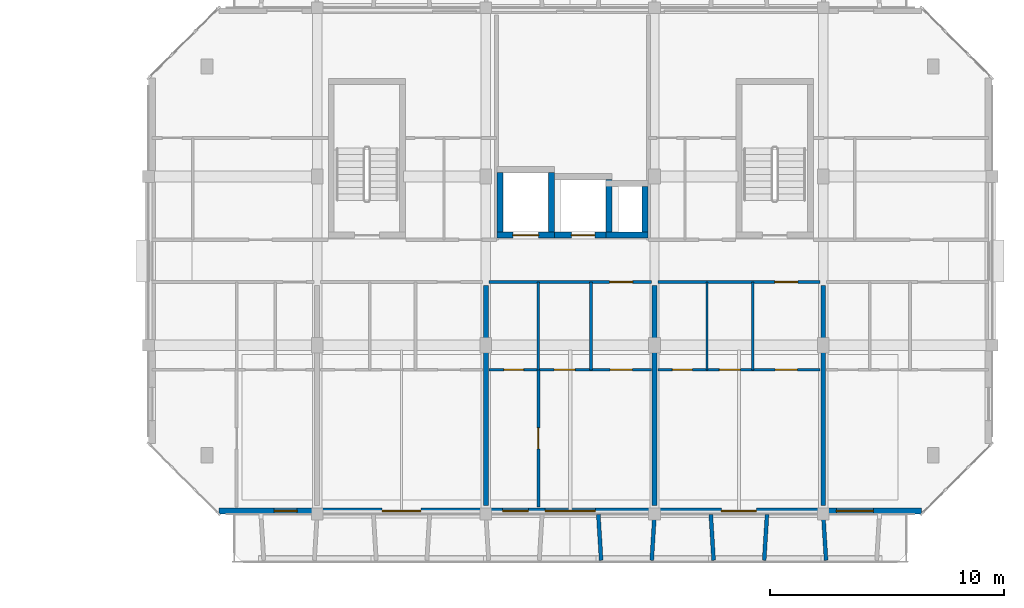
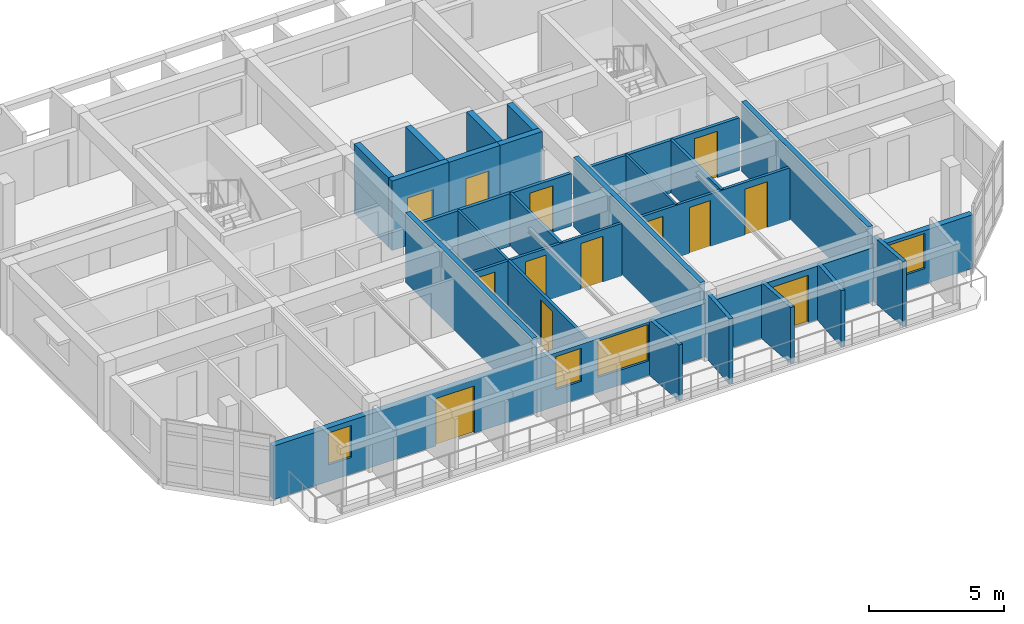
# One storey, part 23 of 40: 25 walls, 13 doors, 4 windows, 17 openings.
"""IFC4 building model written with IfcOpenShell, lengths in metres."""

from ifc_helpers import new_model, si_unit, direction, frame, frame_2d, origin, place, context, subcontext, project, spatial, rectangle, extrude, material, layer, layer_set, type_object, element, fill, save


model = new_model("IFC4")

# Units and contexts
model_context = context("Model", 3, precision=1e-05, world=origin(), true_north=direction((0.0, 1.0)))
body_context = subcontext(model_context, "Body", "Model", "MODEL_VIEW")
ifc_project = project(units=[si_unit("LENGTHUNIT", "METRE"), si_unit("AREAUNIT", "SQUARE_METRE"), si_unit("VOLUMEUNIT", "CUBIC_METRE"), si_unit("PLANEANGLEUNIT", "RADIAN"), si_unit("MASSUNIT", "GRAM", prefix="KILO")], contexts=[model_context])

# Site, building, storey
site_placement = place(None, origin())
site = spatial("IfcSite", under=ifc_project, at=site_placement, CompositionType="ELEMENT")
building_placement = place(site_placement, origin())
building = spatial("IfcBuilding", under=site, at=building_placement, Name="Ochrevale Crest", CompositionType="ELEMENT")
storey_placement = place(building_placement, frame((0.0, 0.0, 27.60009765625)))
storey = spatial("IfcBuildingStorey", under=building, at=storey_placement, Name="L08", CompositionType="ELEMENT", Elevation=27.60009765625)

# Wall, opening, door
ifc_material_1 = material(Name="Gypsum plasterboard", Category="gypsum")
ifc_layer_1 = layer(ifc_material_1, 0.139892578125)
ifc_layer_set_1 = layer_set([ifc_layer_1], Name="Gypsum plasterboard")
wall_type_1 = type_object("IfcWallType", Name="WL-COR-140", PredefinedType="PARTITIONING", material=ifc_layer_set_1)
wall_1_placement = place(storey_placement, frame((144.139892578125, 24.300048828125, 0.0), z_axis=(0.0, 0.0, 1.0), x_axis=(1.0, 0.0, 0.0)))
wall_1 = element("IfcWall", 1, at=wall_1_placement, inside=storey, type_object=wall_type_1, Name="Apartment C-L08-U3 corridor wall", PredefinedType="PARTITIONING", context=body_context, shape_type="SweptSolid", body=[
    extrude(rectangle(XDim=6.920166015625, YDim=0.139892578125, at=frame_2d((3.4599609375, 0.0))), origin(), (0.0, 0.0, 1.0), 2.3798828125),
])
opening_1_placement = place(wall_1_placement, frame((6.125, 0.0, 0.0), z_axis=(0.0, 0.0, 1.0), x_axis=(-1.0, 0.0, 0.0)))
opening_1 = element("IfcOpeningElement", 2, at=opening_1_placement, cuts=wall_1, Name="Opening FD01", PredefinedType="OPENING", context=body_context, shape_type="SweptSolid", body=[
    extrude(rectangle(XDim=0.97998046875, YDim=2.10009765625, at=frame_2d((0.489990234375, 1.050048828125))), frame((0.0, 0.080078125, 0.0), z_axis=(0.0, -1.0, 0.0), x_axis=(1.0, 0.0, 0.0)), (0.0, 0.0, 1.0), 0.159912109375),
])
ifc_material_2 = material(Name="Solid-core FSC hardwood", Category="wood")
door_type_1 = type_object("IfcDoorType", Name="DR-APT-950", OperationType="NOTDEFINED", PredefinedType="DOOR", material=ifc_material_2)
door_1_placement = place(opening_1_placement, origin())
door_1 = element("IfcDoor", 3, at=door_1_placement, inside=storey, type_object=door_type_1, Name="Apartment C-L08-U3 entrance door", OperationType="SINGLE_SWING_RIGHT", OverallHeight=2.10009765625, OverallWidth=0.97998046875, PredefinedType="DOOR", context=body_context, shape_type="SweptSolid", body=[
    extrude(rectangle(XDim=0.97998046875, YDim=2.10009765625, at=frame_2d((0.489990234375, 1.050048828125))), frame((0.0, 0.02490234375, 0.0), z_axis=(0.0, -1.0, 0.0), x_axis=(1.0, 0.0, 0.0)), (0.0, 0.0, 1.0), 0.050048828125),
])
fill(opening_1, door_1)

wall_2_placement = place(storey_placement, frame((151.340087890625, 24.300048828125, 0.0), z_axis=(0.0, 0.0, 1.0), x_axis=(1.0, 0.0, 0.0)))
wall_2 = element("IfcWall", 4, at=wall_2_placement, inside=storey, type_object=wall_type_1, Name="Apartment C-L08-U4 corridor wall", PredefinedType="PARTITIONING", context=body_context, shape_type="SweptSolid", body=[
    extrude(rectangle(XDim=6.919921875, YDim=0.139892578125, at=frame_2d((3.4599609375, 0.0))), origin(), (0.0, 0.0, 1.0), 2.3798828125),
])
opening_2_placement = place(wall_2_placement, frame((4.9951171875, 0.0, 0.0)))
opening_2 = element("IfcOpeningElement", 5, at=opening_2_placement, cuts=wall_2, Name="Opening FD01", PredefinedType="OPENING", context=body_context, shape_type="SweptSolid", body=[
    extrude(rectangle(XDim=0.97998046875, YDim=2.10009765625, at=frame_2d((0.489990234375, 1.050048828125))), frame((0.0, 0.080078125, 0.0), z_axis=(0.0, -1.0, 0.0), x_axis=(1.0, 0.0, 0.0)), (0.0, 0.0, 1.0), 0.159912109375),
])
door_2_placement = place(opening_2_placement, origin())
door_2 = element("IfcDoor", 6, at=door_2_placement, inside=storey, type_object=door_type_1, Name="Apartment C-L08-U4 entrance door", OperationType="SINGLE_SWING_LEFT", OverallHeight=2.10009765625, OverallWidth=0.97998046875, PredefinedType="DOOR", context=body_context, shape_type="SweptSolid", body=[
    extrude(rectangle(XDim=0.97998046875, YDim=2.10009765625, at=frame_2d((0.489990234375, 1.050048828125))), frame((0.0, 0.02490234375, 0.0), z_axis=(0.0, -1.0, 0.0), x_axis=(1.0, 0.0, 0.0)), (0.0, 0.0, 1.0), 0.050048828125),
])
fill(opening_2, door_2)

ifc_material_3 = material(Name="Precast concrete C50/60", Category="concrete")
ifc_layer_2 = layer(ifc_material_3, 0.2548828125)
ifc_layer_set_2 = layer_set([ifc_layer_2], Name="Precast concrete C50/60")
wall_type_2 = type_object("IfcWallType", Name="WL-CORE-255", PredefinedType="SHEAR", material=ifc_layer_set_2)
wall_3_placement = place(storey_placement, frame((144.472412109375, 26.300048828125, 0.0), z_axis=(0.0, 0.0, 1.0), x_axis=(1.0, 0.0, 0.0)))
wall_3 = element("IfcWall", 7, at=wall_3_placement, inside=storey, type_object=wall_type_2, Name="Block C L08 Lift 1 precast shaft shear wall S", PredefinedType="SHEAR", context=body_context, shape_type="SweptSolid", body=[
    extrude(rectangle(XDim=2.455078125, YDim=0.2548828125, at=frame_2d((1.2275390625, 0.0))), origin(), (0.0, 0.0, 1.0), 3.14990234375),
])
opening_3_placement = place(wall_3_placement, frame((0.677490234375, 0.0, 0.0)))
opening_3 = element("IfcOpeningElement", 8, at=opening_3_placement, cuts=wall_3, Name="Opening LD01", PredefinedType="OPENING", context=body_context, shape_type="SweptSolid", body=[
    extrude(rectangle(XDim=1.10009765625, YDim=2.14990234375, at=frame_2d((0.550048828125, 1.074951171875))), frame((0.0, 0.137451171875, 0.0), z_axis=(0.0, -1.0, 0.0), x_axis=(1.0, 0.0, 0.0)), (0.0, 0.0, 1.0), 0.27490234375),
])
door_type_2 = type_object("IfcDoorType", Name="DR-LIFT-1100", OperationType="NOTDEFINED", PredefinedType="DOOR", material=ifc_material_2)
door_3_placement = place(opening_3_placement, origin())
door_3 = element("IfcDoor", 9, at=door_3_placement, inside=storey, type_object=door_type_2, Name="Lift LF-C1 L08 sliding landing door", OperationType="SLIDING_TO_LEFT", OverallHeight=2.14990234375, OverallWidth=1.10009765625, PredefinedType="DOOR", context=body_context, shape_type="SweptSolid", body=[
    extrude(rectangle(XDim=1.10009765625, YDim=2.14990234375, at=frame_2d((0.550048828125, 1.074951171875))), frame((0.0, 0.02490234375, 0.0), z_axis=(0.0, -1.0, 0.0), x_axis=(1.0, 0.0, 0.0)), (0.0, 0.0, 1.0), 0.050048828125),
])
fill(opening_3, door_3)

# Walls
for number, where, z_axis, x_axis, name in (
    (10, (144.60009765625, 26.427490234375, 0.0), (0.0, 0.0, 1.0), (0.0, 1.0, 0.0), "Block C L08 Lift 1 precast shaft shear wall W"),
    (11, (146.800048828125, 26.427490234375, 0.0), (0.0, 0.0, 1.0), (0.0, 1.0, 0.0), "Block C L08 Lift 1 precast shaft shear wall E"),
):
    element("IfcWall", number, at=place(storey_placement, frame(where, z_axis=z_axis, x_axis=x_axis)), inside=storey, type_object=wall_type_2, Name=name, PredefinedType="SHEAR", context=body_context, shape_type="SweptSolid", body=[
        extrude(rectangle(XDim=2.544921875, YDim=0.2548828125, at=frame_2d((1.2724609375, 0.0))), origin(), (0.0, 0.0, 1.0), 3.14990234375),
    ])

# Wall, opening, door
wall_4_placement = place(storey_placement, frame((146.922607421875, 26.300048828125, 0.0), z_axis=(0.0, 0.0, 1.0), x_axis=(1.0, 0.0, 0.0)))
wall_4 = element("IfcWall", 12, at=wall_4_placement, inside=storey, type_object=wall_type_2, Name="Block C L08 Lift 2 precast shaft shear wall S", PredefinedType="SHEAR", context=body_context, shape_type="SweptSolid", body=[
    extrude(rectangle(XDim=2.454833984375, YDim=0.2548828125, at=frame_2d((1.2275390625, 0.0))), origin(), (0.0, 0.0, 1.0), 3.14990234375),
])
opening_4_placement = place(wall_4_placement, frame((0.7275390625, 0.0, 0.0)))
opening_4 = element("IfcOpeningElement", 13, at=opening_4_placement, cuts=wall_4, Name="Opening LD02", PredefinedType="OPENING", context=body_context, shape_type="SweptSolid", body=[
    extrude(rectangle(XDim=1.0, YDim=2.14990234375, at=frame_2d((0.5, 1.074951171875))), frame((0.0, 0.137451171875, 0.0), z_axis=(0.0, -1.0, 0.0), x_axis=(1.0, 0.0, 0.0)), (0.0, 0.0, 1.0), 0.27490234375),
])
door_type_3 = type_object("IfcDoorType", Name="DR-LIFT-1000", OperationType="NOTDEFINED", PredefinedType="DOOR", material=ifc_material_2)
door_4_placement = place(opening_4_placement, origin())
door_4 = element("IfcDoor", 14, at=door_4_placement, inside=storey, type_object=door_type_3, Name="Lift LP-C2 L08 sliding landing door", OperationType="SLIDING_TO_RIGHT", OverallHeight=2.14990234375, OverallWidth=1.0, PredefinedType="DOOR", context=body_context, shape_type="SweptSolid", body=[
    extrude(rectangle(XDim=1.0, YDim=2.14990234375, at=frame_2d((0.5, 1.074951171875))), frame((0.0, 0.02490234375, 0.0), z_axis=(0.0, -1.0, 0.0), x_axis=(1.0, 0.0, 0.0)), (0.0, 0.0, 1.0), 0.050048828125),
])
fill(opening_4, door_4)

# Walls
wall_5_placement = place(storey_placement, frame((149.25, 26.427490234375, 0.0), z_axis=(0.0, 0.0, 1.0), x_axis=(0.0, 1.0, 0.0)))
element("IfcWall", 15, at=wall_5_placement, inside=storey, type_object=wall_type_2, Name="Block C L08 Lift 2 precast shaft shear wall E", PredefinedType="SHEAR", context=body_context, shape_type="SweptSolid", body=[
    extrude(rectangle(XDim=2.2451171875, YDim=0.2548828125, at=frame_2d((1.12255859375, 0.0))), origin(), (0.0, 0.0, 1.0), 3.14990234375),
])
wall_6_placement = place(storey_placement, frame((149.12255859375, 26.300048828125, 0.0), z_axis=(0.0, 0.0, 1.0), x_axis=(1.0, 0.0, 0.0)))
element("IfcWall", 16, at=wall_6_placement, inside=storey, type_object=wall_type_2, Name="Block C L08 services riser shaft core wall S", PredefinedType="SHEAR", context=body_context, shape_type="SweptSolid", body=[
    extrude(rectangle(XDim=1.804931640625, YDim=0.2548828125, at=frame_2d((0.90234375, 0.0))), origin(), (0.0, 0.0, 1.0), 3.14990234375),
])
wall_7_placement = place(storey_placement, frame((150.800048828125, 26.427490234375, 0.0), z_axis=(0.0, 0.0, 1.0), x_axis=(0.0, 1.0, 0.0)))
element("IfcWall", 17, at=wall_7_placement, inside=storey, type_object=wall_type_2, Name="Block C L08 services riser shaft core wall E", PredefinedType="SHEAR", context=body_context, shape_type="SweptSolid", body=[
    extrude(rectangle(XDim=1.945068359375, YDim=0.2548828125, at=frame_2d((0.97265625, 0.0))), origin(), (0.0, 0.0, 1.0), 3.14990234375),
])

# Wall, openings, doors, windows
ifc_material_4 = material(Name="Precast concrete C40/50", Category="concrete")
ifc_layer_3 = layer(ifc_material_4, 0.25)
ifc_layer_set_3 = layer_set([ifc_layer_3], Name="Precast concrete C40/50")
wall_type_3 = type_object("IfcWallType", Name="WL-EXT-GOLD-250", PredefinedType="SOLIDWALL", material=ifc_layer_set_3)
wall_8_placement = place(storey_placement, frame((132.60009765625, 14.52490234375, 0.0), z_axis=(0.0, 0.0, 1.0), x_axis=(1.0, 0.0, 0.0)))
wall_8 = element("IfcWall", 18, at=wall_8_placement, inside=storey, type_object=wall_type_3, Name="Block C L08 external facade wall E1", PredefinedType="SOLIDWALL", context=body_context, shape_type="SweptSolid", body=[
    extrude(rectangle(XDim=30.0, YDim=0.25, at=frame_2d((15.0, 0.0))), origin(), (0.0, 0.0, 1.0), 2.429931640625),
])
opening_5_placement = place(wall_8_placement, frame((8.625, 0.0, 0.0), z_axis=(0.0, 0.0, 1.0), x_axis=(-1.0, 0.0, 0.0)))
opening_5 = element("IfcOpeningElement", 19, at=opening_5_placement, cuts=wall_8, Name="Opening BD02", PredefinedType="OPENING", context=body_context, shape_type="SweptSolid", body=[
    extrude(rectangle(XDim=1.64990234375, YDim=2.14990234375, at=frame_2d((0.824951171875, 1.074951171875))), frame((0.0, 0.135009765625, 0.0), z_axis=(0.0, -1.0, 0.0), x_axis=(1.0, 0.0, 0.0)), (0.0, 0.0, 1.0), 0.27001953125),
])
opening_6_placement = place(wall_8_placement, frame((22.949951171875, 0.0, 0.0), z_axis=(0.0, 0.0, 1.0), x_axis=(-1.0, 0.0, 0.0)))
opening_6 = element("IfcOpeningElement", 20, at=opening_6_placement, cuts=wall_8, Name="Opening BD01", PredefinedType="OPENING", context=body_context, shape_type="SweptSolid", body=[
    extrude(rectangle(XDim=1.5, YDim=2.14990234375, at=frame_2d((0.75, 1.074951171875))), frame((0.0, 0.135009765625, 0.0), z_axis=(0.0, -1.0, 0.0), x_axis=(1.0, 0.0, 0.0)), (0.0, 0.0, 1.0), 0.27001953125),
])
opening_7_placement = place(wall_8_placement, frame((2.364990234375, 0.0, 0.75)))
opening_7 = element("IfcOpeningElement", 21, at=opening_7_placement, cuts=wall_8, Name="Opening W04", PredefinedType="OPENING", context=body_context, shape_type="SweptSolid", body=[
    extrude(rectangle(XDim=0.97998046875, YDim=1.449951171875, at=frame_2d((0.489990234375, 0.72509765625))), frame((0.0, 0.135009765625, 0.0), z_axis=(0.0, -1.0, 0.0), x_axis=(1.0, 0.0, 0.0)), (0.0, 0.0, 1.0), 0.27001953125),
])
opening_8_placement = place(wall_8_placement, frame((12.110107421875, 0.0, 0.75)))
opening_8 = element("IfcOpeningElement", 22, at=opening_8_placement, cuts=wall_8, Name="Opening W05", PredefinedType="OPENING", context=body_context, shape_type="SweptSolid", body=[
    extrude(rectangle(XDim=1.10009765625, YDim=1.5, at=frame_2d((0.550048828125, 0.75))), frame((0.0, 0.135009765625, 0.0), z_axis=(0.0, -1.0, 0.0), x_axis=(1.0, 0.0, 0.0)), (0.0, 0.0, 1.0), 0.27001953125),
])
opening_9_placement = place(wall_8_placement, frame((13.925048828125, 0.0, 0.669921875)))
opening_9 = element("IfcOpeningElement", 23, at=opening_9_placement, cuts=wall_8, Name="Opening W13", PredefinedType="OPENING", context=body_context, shape_type="SweptSolid", body=[
    extrude(rectangle(XDim=2.14990234375, YDim=1.64990234375, at=frame_2d((1.074951171875, 0.824951171875))), frame((0.0, 0.135009765625, 0.0), z_axis=(0.0, -1.0, 0.0), x_axis=(1.0, 0.0, 0.0)), (0.0, 0.0, 1.0), 0.27001953125),
])
opening_10_placement = place(wall_8_placement, frame((26.35498046875, 0.0, 0.699951171875)))
opening_10 = element("IfcOpeningElement", 24, at=opening_10_placement, cuts=wall_8, Name="Opening W09", PredefinedType="OPENING", context=body_context, shape_type="SweptSolid", body=[
    extrude(rectangle(XDim=1.580078125, YDim=1.60009765625, at=frame_2d((0.7900390625, 0.800048828125))), frame((0.0, 0.135009765625, 0.0), z_axis=(0.0, -1.0, 0.0), x_axis=(1.0, 0.0, 0.0)), (0.0, 0.0, 1.0), 0.27001953125),
])
ifc_material_5 = material(Name="Anodised aluminium 6063-T5 and toughened glass", Category="aluminium")
door_type_4 = type_object("IfcDoorType", Name="DR-BAL-1500", OperationType="NOTDEFINED", PredefinedType="DOOR", material=ifc_material_5)
door_5_placement = place(opening_6_placement, origin())
door_5 = element("IfcDoor", 25, at=door_5_placement, inside=storey, type_object=door_type_4, Name="Block C L08 balcony door S4", OperationType="SINGLE_SWING_LEFT", OverallHeight=2.14990234375, OverallWidth=1.5, PredefinedType="DOOR", context=body_context, shape_type="SweptSolid", body=[
    extrude(rectangle(XDim=1.5, YDim=2.14990234375, at=frame_2d((0.75, 1.074951171875))), frame((0.0, 0.02490234375, 0.0), z_axis=(0.0, -1.0, 0.0), x_axis=(1.0, 0.0, 0.0)), (0.0, 0.0, 1.0), 0.050048828125),
])
fill(opening_6, door_5)
door_type_5 = type_object("IfcDoorType", Name="DR-BAL-1650", OperationType="NOTDEFINED", PredefinedType="DOOR", material=ifc_material_5)
door_6_placement = place(opening_5_placement, origin())
door_6 = element("IfcDoor", 26, at=door_6_placement, inside=storey, type_object=door_type_5, Name="Block C L08 balcony door S2", OperationType="SINGLE_SWING_RIGHT", OverallHeight=2.14990234375, OverallWidth=1.64990234375, PredefinedType="DOOR", context=body_context, shape_type="SweptSolid", body=[
    extrude(rectangle(XDim=1.64990234375, YDim=2.14990234375, at=frame_2d((0.824951171875, 1.074951171875))), frame((0.0, 0.02490234375, 0.0), z_axis=(0.0, -1.0, 0.0), x_axis=(1.0, 0.0, 0.0)), (0.0, 0.0, 1.0), 0.050048828125),
])
fill(opening_5, door_6)
ifc_material_6 = material(Name="Anodised aluminium 6063-T5 and low-E double glazing", Category="aluminium")
window_type_1 = type_object("IfcWindowType", Name="WIN-W04", PartitioningType="SINGLE_PANEL", PredefinedType="WINDOW", material=ifc_material_6)
window_1_placement = place(opening_7_placement, origin())
window_1 = element("IfcWindow", 27, at=window_1_placement, inside=storey, type_object=window_type_1, Name="Block C L08 Apartment C-L08-U1 Three Bedroom Family Living window", OverallHeight=1.449951171875, OverallWidth=0.97998046875, PartitioningType="SINGLE_PANEL", PredefinedType="WINDOW", context=body_context, shape_type="SweptSolid", body=[
    extrude(rectangle(XDim=0.97998046875, YDim=1.449951171875, at=frame_2d((0.489990234375, 0.72509765625))), frame((0.0, 0.030029296875, 0.0), z_axis=(0.0, -1.0, 0.0), x_axis=(1.0, 0.0, 0.0)), (0.0, 0.0, 1.0), 0.06005859375),
])
fill(opening_7, window_1)
window_type_2 = type_object("IfcWindowType", Name="WIN-W05", PartitioningType="SINGLE_PANEL", PredefinedType="WINDOW", material=ifc_material_6)
window_2_placement = place(opening_8_placement, origin())
window_2 = element("IfcWindow", 28, at=window_2_placement, inside=storey, type_object=window_type_2, Name="Block C L08 Apartment C-L08-U3 Master Bedroom window", OverallHeight=1.5, OverallWidth=1.10009765625, PartitioningType="SINGLE_PANEL", PredefinedType="WINDOW", context=body_context, shape_type="SweptSolid", body=[
    extrude(rectangle(XDim=1.10009765625, YDim=1.5, at=frame_2d((0.550048828125, 0.75))), frame((0.0, 0.030029296875, 0.0), z_axis=(0.0, -1.0, 0.0), x_axis=(1.0, 0.0, 0.0)), (0.0, 0.0, 1.0), 0.06005859375),
])
fill(opening_8, window_2)
window_type_3 = type_object("IfcWindowType", Name="WIN-W09", PartitioningType="SINGLE_PANEL", PredefinedType="WINDOW", material=ifc_material_6)
window_3_placement = place(opening_10_placement, origin())
window_3 = element("IfcWindow", 29, at=window_3_placement, inside=storey, type_object=window_type_3, Name="Block C L08 Studio C-L08-U5 Living Room window", OverallHeight=1.60009765625, OverallWidth=1.580078125, PartitioningType="SINGLE_PANEL", PredefinedType="WINDOW", context=body_context, shape_type="SweptSolid", body=[
    extrude(rectangle(XDim=1.580078125, YDim=1.60009765625, at=frame_2d((0.7900390625, 0.800048828125))), frame((0.0, 0.030029296875, 0.0), z_axis=(0.0, -1.0, 0.0), x_axis=(1.0, 0.0, 0.0)), (0.0, 0.0, 1.0), 0.06005859375),
])
fill(opening_10, window_3)
window_type_4 = type_object("IfcWindowType", Name="WIN-W13", PartitioningType="SINGLE_PANEL", PredefinedType="WINDOW", material=ifc_material_6)
window_4_placement = place(opening_9_placement, origin())
window_4 = element("IfcWindow", 30, at=window_4_placement, inside=storey, type_object=window_type_4, Name="Block C L08 Apartment C-L08-U3 One Bedroom Living Room window", OverallHeight=1.64990234375, OverallWidth=2.14990234375, PartitioningType="SINGLE_PANEL", PredefinedType="WINDOW", context=body_context, shape_type="SweptSolid", body=[
    extrude(rectangle(XDim=2.14990234375, YDim=1.64990234375, at=frame_2d((1.074951171875, 0.824951171875))), frame((0.0, 0.030029296875, 0.0), z_axis=(0.0, -1.0, 0.0), x_axis=(1.0, 0.0, 0.0)), (0.0, 0.0, 1.0), 0.06005859375),
])
fill(opening_9, window_4)

# Walls
ifc_layer_4 = layer(ifc_material_4, 0.1650390625)
ifc_layer_set_4 = layer_set([ifc_layer_4], Name="Precast concrete C40/50")
wall_type_4 = type_object("IfcWallType", Name="WL-HC-CHEEK-165", PredefinedType="ELEMENTEDWALL", material=ifc_layer_set_4)
wall_9_placement = place(storey_placement, frame((148.800048828125, 14.3798828125, 0.0), z_axis=(0.0, 0.0, 1.0), x_axis=(0.061046865508, -0.998134900808, 0.0)))
element("IfcWall", 31, at=wall_9_placement, inside=storey, type_object=wall_type_4, Name="Block C L08 S precast honeycomb cheek 7", PredefinedType="ELEMENTEDWALL", context=body_context, shape_type="SweptSolid", body=[
    extrude(rectangle(XDim=1.963623046875, YDim=0.1650390625, at=frame_2d((0.98193359375, 0.0))), origin(), (0.0, 0.0, 1.0), 2.52978515625),
])
wall_10_placement = place(storey_placement, frame((151.199951171875, 14.3798828125, 0.0), z_axis=(0.0, 0.0, 1.0), x_axis=(-0.061046865508, -0.998134900808, 0.0)))
element("IfcWall", 32, at=wall_10_placement, inside=storey, type_object=wall_type_4, Name="Block C L08 S precast honeycomb cheek 8", PredefinedType="ELEMENTEDWALL", context=body_context, shape_type="SweptSolid", body=[
    extrude(rectangle(XDim=1.963623046875, YDim=0.1650390625, at=frame_2d((0.98193359375, 0.0))), origin(), (0.0, 0.0, 1.0), 2.949951171875),
])
for number, where, z_axis, x_axis, name in (
    (33, (153.60009765625, 14.3798828125, 0.0), (0.0, 0.0, 1.0), (0.061046865508, -0.998134900808, 0.0), "Block C L08 S precast honeycomb cheek 9"),
    (34, (156.0, 14.3798828125, 0.0), (0.0, 0.0, 1.0), (-0.061170732449, -0.998127317276, 0.0), "Block C L08 S precast honeycomb cheek 10"),
):
    element("IfcWall", number, at=place(storey_placement, frame(where, z_axis=z_axis, x_axis=x_axis)), inside=storey, type_object=wall_type_4, Name=name, PredefinedType="ELEMENTEDWALL", context=body_context, shape_type="SweptSolid", body=[
        extrude(rectangle(XDim=1.963623046875, YDim=0.1650390625, at=frame_2d((0.98193359375, 0.0))), origin(), (0.0, 0.0, 1.0), 2.5498046875),
    ])
wall_11_placement = place(storey_placement, frame((158.39990234375, 14.3798828125, 0.0), z_axis=(0.0, 0.0, 1.0), x_axis=(0.061170732449, -0.998127317276, 0.0)))
element("IfcWall", 35, at=wall_11_placement, inside=storey, type_object=wall_type_4, Name="Block C L08 S precast honeycomb cheek 11", PredefinedType="ELEMENTEDWALL", context=body_context, shape_type="SweptSolid", body=[
    extrude(rectangle(XDim=1.963623046875, YDim=0.1650390625, at=frame_2d((0.98193359375, 0.0))), origin(), (0.0, 0.0, 1.0), 2.949951171875),
])
ifc_layer_5 = layer(ifc_material_1, 0.1201171875)
ifc_layer_set_5 = layer_set([ifc_layer_5], Name="Gypsum plasterboard")
wall_type_5 = type_object("IfcWallType", Name="WL-PART-120", PredefinedType="PARTITIONING", material=ifc_layer_set_5)
wall_12_placement = place(storey_placement, frame((148.489990234375, 20.550048828125, 0.0), z_axis=(0.0, 0.0, 1.0), x_axis=(0.0, 1.0, 0.0)))
element("IfcWall", 36, at=wall_12_placement, inside=storey, type_object=wall_type_5, Name="Apartment C-L08-U3 kitchen-foyer wall", PredefinedType="PARTITIONING", context=body_context, shape_type="SweptSolid", body=[
    extrude(rectangle(XDim=3.75, YDim=0.1201171875, at=frame_2d((1.875, 0.0))), origin(), (0.0, 0.0, 1.0), 2.3798828125),
])

# Wall, openings, doors
wall_13_placement = place(storey_placement, frame((144.139892578125, 20.550048828125, 0.0), z_axis=(0.0, 0.0, 1.0), x_axis=(1.0, 0.0, 0.0)))
wall_13 = element("IfcWall", 37, at=wall_13_placement, inside=storey, type_object=wall_type_5, Name="Apartment C-L08-U3 central partition", PredefinedType="PARTITIONING", context=body_context, shape_type="SweptSolid", body=[
    extrude(rectangle(XDim=6.920166015625, YDim=0.1201171875, at=frame_2d((3.4599609375, 0.0))), origin(), (0.0, 0.0, 1.0), 2.3798828125),
])
opening_11_placement = place(wall_13_placement, frame((0.625, 0.0, 0.0)))
opening_11 = element("IfcOpeningElement", 38, at=opening_11_placement, cuts=wall_13, Name="Opening ID01", PredefinedType="OPENING", context=body_context, shape_type="SweptSolid", body=[
    extrude(rectangle(XDim=0.85009765625, YDim=2.080078125, at=frame_2d((0.425048828125, 1.0400390625))), frame((0.0, 0.070068359375, 0.0), z_axis=(0.0, -1.0, 0.0), x_axis=(1.0, 0.0, 0.0)), (0.0, 0.0, 1.0), 0.14013671875),
])
opening_12_placement = place(wall_13_placement, frame((3.6748046875, 0.0, 0.0), z_axis=(0.0, 0.0, 1.0), x_axis=(-1.0, 0.0, 0.0)))
opening_12 = element("IfcOpeningElement", 39, at=opening_12_placement, cuts=wall_13, Name="Opening ID02", PredefinedType="OPENING", context=body_context, shape_type="SweptSolid", body=[
    extrude(rectangle(XDim=0.89990234375, YDim=2.080078125, at=frame_2d((0.449951171875, 1.0400390625))), frame((0.0, 0.070068359375, 0.0), z_axis=(0.0, -1.0, 0.0), x_axis=(1.0, 0.0, 0.0)), (0.0, 0.0, 1.0), 0.14013671875),
])
opening_13_placement = place(wall_13_placement, frame((5.159912109375, 0.0, 0.0)))
opening_13 = element("IfcOpeningElement", 40, at=opening_13_placement, cuts=wall_13, Name="Opening ID06", PredefinedType="OPENING", context=body_context, shape_type="SweptSolid", body=[
    extrude(rectangle(XDim=0.949951171875, YDim=2.080078125, at=frame_2d((0.47509765625, 1.0400390625))), frame((0.0, 0.070068359375, 0.0), z_axis=(0.0, -1.0, 0.0), x_axis=(1.0, 0.0, 0.0)), (0.0, 0.0, 1.0), 0.14013671875),
])
door_type_6 = type_object("IfcDoorType", Name="DR-INT-900", OperationType="NOTDEFINED", PredefinedType="DOOR", material=ifc_material_2)
door_7_placement = place(opening_12_placement, origin())
door_7 = element("IfcDoor", 41, at=door_7_placement, inside=storey, type_object=door_type_6, Name="Apartment C-L08-U3 Kitchen door", OperationType="SINGLE_SWING_RIGHT", OverallHeight=2.080078125, OverallWidth=0.89990234375, PredefinedType="DOOR", context=body_context, shape_type="SweptSolid", body=[
    extrude(rectangle(XDim=0.89990234375, YDim=2.080078125, at=frame_2d((0.449951171875, 1.0400390625))), frame((0.0, 0.02490234375, 0.0), z_axis=(0.0, -1.0, 0.0), x_axis=(1.0, 0.0, 0.0)), (0.0, 0.0, 1.0), 0.050048828125),
])
fill(opening_12, door_7)
door_type_7 = type_object("IfcDoorType", Name="DR-INT-950", OperationType="NOTDEFINED", PredefinedType="DOOR", material=ifc_material_2)
door_8_placement = place(opening_13_placement, origin())
door_8 = element("IfcDoor", 42, at=door_8_placement, inside=storey, type_object=door_type_7, Name="Apartment C-L08-U3 Living Foyer door", OperationType="SINGLE_SWING_LEFT", OverallHeight=2.080078125, OverallWidth=0.949951171875, PredefinedType="DOOR", context=body_context, shape_type="SweptSolid", body=[
    extrude(rectangle(XDim=0.949951171875, YDim=2.080078125, at=frame_2d((0.47509765625, 1.0400390625))), frame((0.0, 0.02490234375, 0.0), z_axis=(0.0, -1.0, 0.0), x_axis=(1.0, 0.0, 0.0)), (0.0, 0.0, 1.0), 0.050048828125),
])
fill(opening_13, door_8)
door_type_8 = type_object("IfcDoorType", Name="DR-WC-850", OperationType="NOTDEFINED", PredefinedType="DOOR", material=ifc_material_2)
door_9_placement = place(opening_11_placement, origin())
door_9 = element("IfcDoor", 43, at=door_9_placement, inside=storey, type_object=door_type_8, Name="Apartment C-L08-U3 Bathroom door", OperationType="SINGLE_SWING_LEFT", OverallHeight=2.080078125, OverallWidth=0.85009765625, PredefinedType="DOOR", context=body_context, shape_type="SweptSolid", body=[
    extrude(rectangle(XDim=0.85009765625, YDim=2.080078125, at=frame_2d((0.425048828125, 1.0400390625))), frame((0.0, 0.02490234375, 0.0), z_axis=(0.0, -1.0, 0.0), x_axis=(1.0, 0.0, 0.0)), (0.0, 0.0, 1.0), 0.050048828125),
])
fill(opening_11, door_9)

# Wall, opening, door
wall_14_placement = place(storey_placement, frame((146.239990234375, 14.699951171875, 0.0), z_axis=(0.0, 0.0, 1.0), x_axis=(0.0, 1.0, 0.0)))
wall_14 = element("IfcWall", 44, at=wall_14_placement, inside=storey, type_object=wall_type_5, Name="Apartment C-L08-U3 bedroom partition", PredefinedType="PARTITIONING", context=body_context, shape_type="SweptSolid", body=[
    extrude(rectangle(XDim=5.85009765625, YDim=0.1201171875, at=frame_2d((2.925048828125, 0.0))), origin(), (0.0, 0.0, 1.0), 2.3798828125),
])
opening_14_placement = place(wall_14_placement, frame((3.375, 0.0, 0.0), z_axis=(0.0, 0.0, 1.0), x_axis=(-1.0, 0.0, 0.0)))
opening_14 = element("IfcOpeningElement", 45, at=opening_14_placement, cuts=wall_14, Name="Opening ID02", PredefinedType="OPENING", context=body_context, shape_type="SweptSolid", body=[
    extrude(rectangle(XDim=0.89990234375, YDim=2.080078125, at=frame_2d((0.449951171875, 1.0400390625))), frame((0.0, 0.070068359375, 0.0), z_axis=(0.0, -1.0, 0.0), x_axis=(1.0, 0.0, 0.0)), (0.0, 0.0, 1.0), 0.14013671875),
])
door_10_placement = place(opening_14_placement, origin())
door_10 = element("IfcDoor", 46, at=door_10_placement, inside=storey, type_object=door_type_6, Name="Apartment C-L08-U3 Master Bedroom door", OperationType="SINGLE_SWING_RIGHT", OverallHeight=2.080078125, OverallWidth=0.89990234375, PredefinedType="DOOR", context=body_context, shape_type="SweptSolid", body=[
    extrude(rectangle(XDim=0.89990234375, YDim=2.080078125, at=frame_2d((0.449951171875, 1.0400390625))), frame((0.0, 0.02490234375, 0.0), z_axis=(0.0, -1.0, 0.0), x_axis=(1.0, 0.0, 0.0)), (0.0, 0.0, 1.0), 0.050048828125),
])
fill(opening_14, door_10)

# Wall
wall_15_placement = place(storey_placement, frame((155.389892578125, 20.550048828125, 0.0), z_axis=(0.0, 0.0, 1.0), x_axis=(0.0, 1.0, 0.0)))
element("IfcWall", 47, at=wall_15_placement, inside=storey, type_object=wall_type_5, Name="Apartment C-L08-U4 kitchen-foyer wall", PredefinedType="PARTITIONING", context=body_context, shape_type="SweptSolid", body=[
    extrude(rectangle(XDim=3.75, YDim=0.1201171875, at=frame_2d((1.875, 0.0))), origin(), (0.0, 0.0, 1.0), 2.3798828125),
])

# Wall, openings, doors
wall_16_placement = place(storey_placement, frame((151.340087890625, 20.550048828125, 0.0), z_axis=(0.0, 0.0, 1.0), x_axis=(1.0, 0.0, 0.0)))
wall_16 = element("IfcWall", 48, at=wall_16_placement, inside=storey, type_object=wall_type_5, Name="Apartment C-L08-U4 central partition", PredefinedType="PARTITIONING", context=body_context, shape_type="SweptSolid", body=[
    extrude(rectangle(XDim=6.919921875, YDim=0.1201171875, at=frame_2d((3.4599609375, 0.0))), origin(), (0.0, 0.0, 1.0), 2.3798828125),
])
opening_15_placement = place(wall_16_placement, frame((1.47509765625, 0.0, 0.0), z_axis=(0.0, 0.0, 1.0), x_axis=(-1.0, 0.0, 0.0)))
opening_15 = element("IfcOpeningElement", 49, at=opening_15_placement, cuts=wall_16, Name="Opening ID01", PredefinedType="OPENING", context=body_context, shape_type="SweptSolid", body=[
    extrude(rectangle(XDim=0.85009765625, YDim=2.080078125, at=frame_2d((0.425048828125, 1.0400390625))), frame((0.0, 0.070068359375, 0.0), z_axis=(0.0, -1.0, 0.0), x_axis=(1.0, 0.0, 0.0)), (0.0, 0.0, 1.0), 0.14013671875),
])
opening_16_placement = place(wall_16_placement, frame((2.625, 0.0, 0.0)))
opening_16 = element("IfcOpeningElement", 50, at=opening_16_placement, cuts=wall_16, Name="Opening ID02", PredefinedType="OPENING", context=body_context, shape_type="SweptSolid", body=[
    extrude(rectangle(XDim=0.89990234375, YDim=2.080078125, at=frame_2d((0.449951171875, 1.0400390625))), frame((0.0, 0.070068359375, 0.0), z_axis=(0.0, -1.0, 0.0), x_axis=(1.0, 0.0, 0.0)), (0.0, 0.0, 1.0), 0.14013671875),
])
opening_17_placement = place(wall_16_placement, frame((5.9599609375, 0.0, 0.0), z_axis=(0.0, 0.0, 1.0), x_axis=(-1.0, 0.0, 0.0)))
opening_17 = element("IfcOpeningElement", 51, at=opening_17_placement, cuts=wall_16, Name="Opening ID06", PredefinedType="OPENING", context=body_context, shape_type="SweptSolid", body=[
    extrude(rectangle(XDim=0.949951171875, YDim=2.080078125, at=frame_2d((0.47509765625, 1.0400390625))), frame((0.0, 0.070068359375, 0.0), z_axis=(0.0, -1.0, 0.0), x_axis=(1.0, 0.0, 0.0)), (0.0, 0.0, 1.0), 0.14013671875),
])
door_11_placement = place(opening_16_placement, origin())
door_11 = element("IfcDoor", 52, at=door_11_placement, inside=storey, type_object=door_type_6, Name="Apartment C-L08-U4 Kitchen door", OperationType="SINGLE_SWING_LEFT", OverallHeight=2.080078125, OverallWidth=0.89990234375, PredefinedType="DOOR", context=body_context, shape_type="SweptSolid", body=[
    extrude(rectangle(XDim=0.89990234375, YDim=2.080078125, at=frame_2d((0.449951171875, 1.0400390625))), frame((0.0, 0.02490234375, 0.0), z_axis=(0.0, -1.0, 0.0), x_axis=(1.0, 0.0, 0.0)), (0.0, 0.0, 1.0), 0.050048828125),
])
fill(opening_16, door_11)
door_12_placement = place(opening_17_placement, origin())
door_12 = element("IfcDoor", 53, at=door_12_placement, inside=storey, type_object=door_type_7, Name="Apartment C-L08-U4 Living Foyer door", OperationType="SINGLE_SWING_RIGHT", OverallHeight=2.080078125, OverallWidth=0.949951171875, PredefinedType="DOOR", context=body_context, shape_type="SweptSolid", body=[
    extrude(rectangle(XDim=0.949951171875, YDim=2.080078125, at=frame_2d((0.47509765625, 1.0400390625))), frame((0.0, 0.02490234375, 0.0), z_axis=(0.0, -1.0, 0.0), x_axis=(1.0, 0.0, 0.0)), (0.0, 0.0, 1.0), 0.050048828125),
])
fill(opening_17, door_12)
door_13_placement = place(opening_15_placement, origin())
door_13 = element("IfcDoor", 54, at=door_13_placement, inside=storey, type_object=door_type_8, Name="Apartment C-L08-U4 Bathroom door", OperationType="SINGLE_SWING_RIGHT", OverallHeight=2.080078125, OverallWidth=0.85009765625, PredefinedType="DOOR", context=body_context, shape_type="SweptSolid", body=[
    extrude(rectangle(XDim=0.85009765625, YDim=2.080078125, at=frame_2d((0.425048828125, 1.0400390625))), frame((0.0, 0.02490234375, 0.0), z_axis=(0.0, -1.0, 0.0), x_axis=(1.0, 0.0, 0.0)), (0.0, 0.0, 1.0), 0.050048828125),
])
fill(opening_15, door_13)

# Walls
ifc_layer_6 = layer(ifc_material_4, 0.2099609375)
ifc_layer_set_6 = layer_set([ifc_layer_6], Name="Precast concrete C40/50")
wall_type_6 = type_object("IfcWallType", Name="WL-SHEAR-210", PredefinedType="SHEAR", material=ifc_layer_set_6)
for number, where, z_axis, x_axis, name in (
    (55, (144.0, 14.75, 0.0), (0.0, 0.0, 1.0), (0.0, 1.0, 0.0), "Block C L08 load-bearing precast cross-wall X=144.0"),
    (56, (151.199951171875, 14.75, 0.0), (0.0, 0.0, 1.0), (0.0, 1.0, 0.0), "Block C L08 load-bearing precast cross-wall X=151.2"),
    (57, (158.39990234375, 14.75, 0.0), (0.0, 0.0, 1.0), (0.0, 1.0, 0.0), "Block C L08 load-bearing precast cross-wall X=158.4"),
):
    element("IfcWall", number, at=place(storey_placement, frame(where, z_axis=z_axis, x_axis=x_axis)), inside=storey, type_object=wall_type_6, Name=name, PredefinedType="SHEAR", context=body_context, shape_type="SweptSolid", body=[
        extrude(rectangle(XDim=9.39990234375, YDim=0.2099609375, at=frame_2d((4.699951171875, 0.0))), origin(), (0.0, 0.0, 1.0), 3.14990234375),
    ])
ifc_layer_7 = layer(ifc_material_1, 0.10009765625)
ifc_layer_set_7 = layer_set([ifc_layer_7], Name="Gypsum plasterboard")
wall_type_7 = type_object("IfcWallType", Name="WL-WET-100", PredefinedType="PARTITIONING", material=ifc_layer_set_7)
for number, where, z_axis, x_axis, name in (
    (58, (146.239990234375, 20.550048828125, 0.0), (0.0, 0.0, 1.0), (0.0, 1.0, 0.0), "Apartment C-L08-U3 bath-kitchen wall"),
    (59, (153.43994140625, 20.550048828125, 0.0), (0.0, 0.0, 1.0), (0.0, 1.0, 0.0), "Apartment C-L08-U4 bath-kitchen wall"),
):
    element("IfcWall", number, at=place(storey_placement, frame(where, z_axis=z_axis, x_axis=x_axis)), inside=storey, type_object=wall_type_7, Name=name, PredefinedType="PARTITIONING", context=body_context, shape_type="SweptSolid", body=[
        extrude(rectangle(XDim=3.75, YDim=0.10009765625, at=frame_2d((1.875, 0.0))), origin(), (0.0, 0.0, 1.0), 2.3798828125),
    ])

save(model, "model.ifc")
